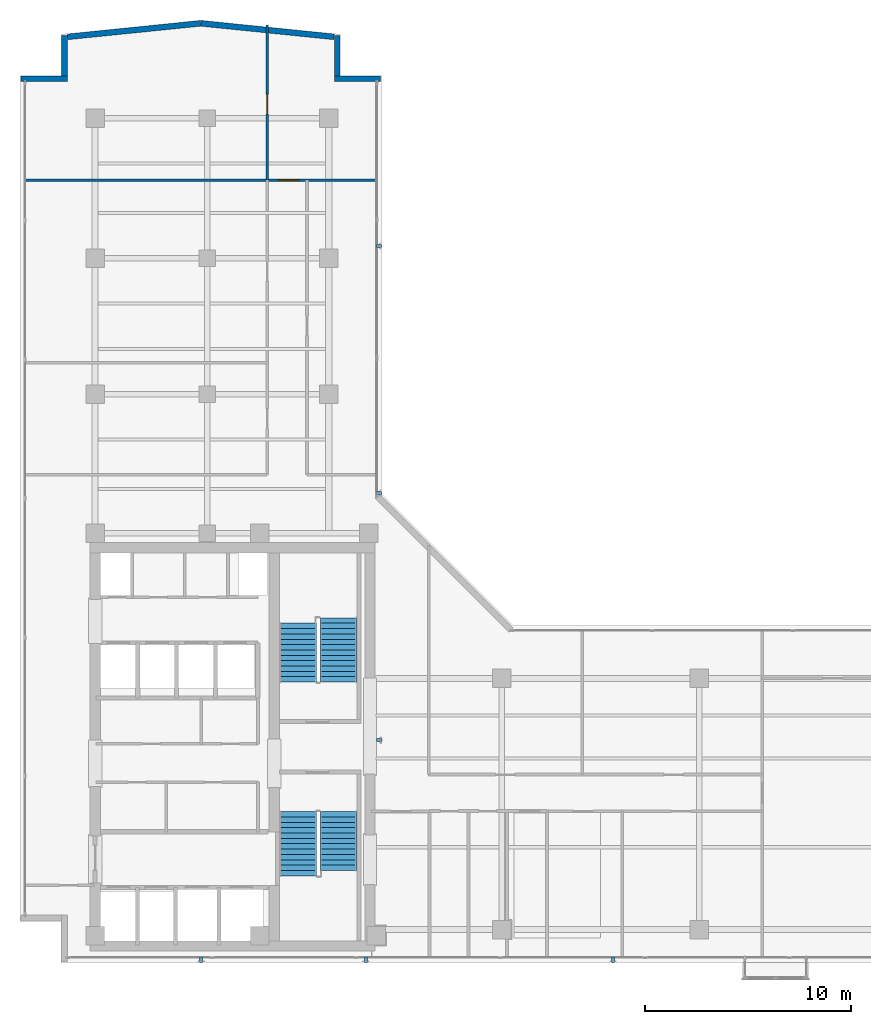
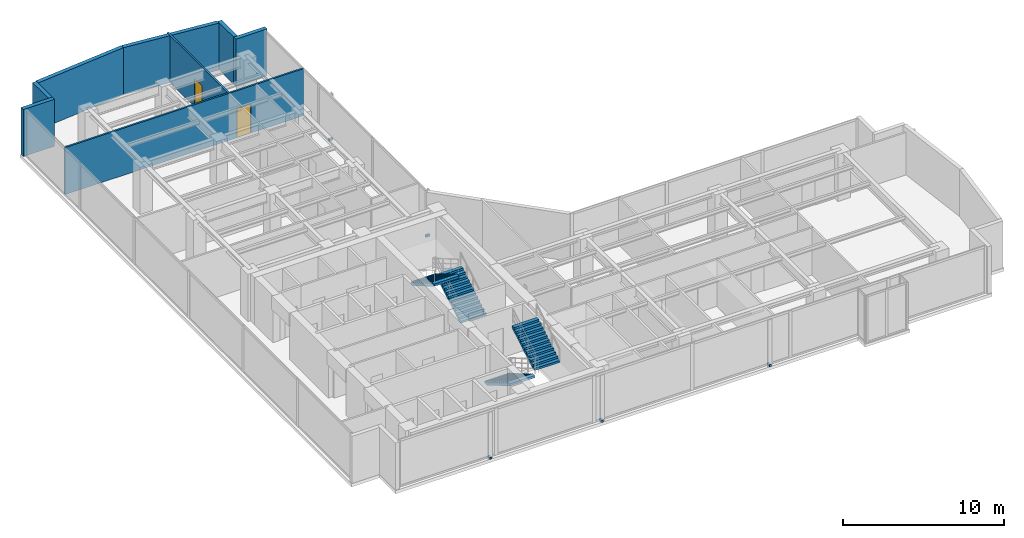
# One storey, part 18 of 22: 8 walls, 6 discrete accessories, 4 stair flights, 2 doors, 2 openings, 2 elements without a shape of their own.
"""IFC4 building model written with IfcOpenShell, lengths in metres."""

from ifc_helpers import new_model, si_unit, direction, frame, frame_2d, origin, origin_with_axes, origin_2d, place, context, subcontext, project, spatial, polyline, rectangle, outline, extrude, source, transform, mapped, material, layer, layer_set, type_object, element, fill, aggregate, save


model = new_model("IFC4")

# Units and contexts
model_context = context("Model", 3, precision=1e-05, world=origin(), true_north=direction((0.0, 1.0)))
body_context = subcontext(model_context, "Body", "Model", "MODEL_VIEW")
ifc_project = project(units=[si_unit("LENGTHUNIT", "METRE"), si_unit("AREAUNIT", "SQUARE_METRE"), si_unit("VOLUMEUNIT", "CUBIC_METRE"), si_unit("PLANEANGLEUNIT", "RADIAN"), si_unit("MASSUNIT", "GRAM", prefix="KILO")], contexts=[model_context])

# Site, building, storey
site_placement = place(None, origin())
site = spatial("IfcSite", under=ifc_project, at=site_placement, CompositionType="ELEMENT")
building_placement = place(site_placement, origin())
building = spatial("IfcBuilding", under=site, at=building_placement, Name="Kolvaren Waterfront Exchange", CompositionType="ELEMENT")
storey_placement = place(building_placement, frame((0.0, 0.0, 274.199951171875)))
storey = spatial("IfcBuildingStorey", under=building, at=storey_placement, Name="L70", CompositionType="ELEMENT", Elevation=274.199951171875)

# Walls
ifc_material_1 = material(Name="Precast concrete C40/50", Category="concrete")
ifc_layer_1 = layer(ifc_material_1, 0.280029296875, Name="Precast concrete C40/50")
ifc_layer_set_1 = layer_set([ifc_layer_1], Name="Precast concrete C40/50")
wall_type_1 = type_object("IfcWallType", Name="ARC-EXT-TERR-280", PredefinedType="SOLIDWALL", material=ifc_layer_set_1)
wall_1_placement = place(storey_placement, frame((19.068359375, 46.529541015625, 0.0), z_axis=(0.0, 0.0, 1.0), x_axis=(1.0, 0.0, 0.0)))
element("IfcWall", 1, at=wall_1_placement, inside=storey, type_object=wall_type_1, Name="L70 notched corner spandrel pier NNE-A", PredefinedType="SOLIDWALL", context=body_context, shape_type="SweptSolid", body=[
    extrude(rectangle(XDim=2.239990234375, YDim=0.280029296875, at=frame_2d((1.1201171875, 0.0))), origin(), (0.0, 0.0, 1.0), 3.56005859375),
])
wall_2_placement = place(storey_placement, frame((19.20849609375, 46.66943359375, 0.0), z_axis=(0.0, 0.0, 1.0), x_axis=(0.0, 1.0, 0.0)))
element("IfcWall", 2, at=wall_2_placement, inside=storey, type_object=wall_type_1, Name="L70 notched corner spandrel pier NNE-B", PredefinedType="SOLIDWALL", context=body_context, shape_type="SweptSolid", body=[
    extrude(rectangle(XDim=1.9599609375, YDim=0.280029296875, at=frame_2d((0.97998046875, 0.0))), origin(), (0.0, 0.0, 1.0), 3.56005859375),
])
wall_3_placement = place(storey_placement, frame((3.860107421875, 46.529541015625, 0.0), z_axis=(0.0, 0.0, 1.0), x_axis=(1.0, 0.0, 0.0)))
element("IfcWall", 3, at=wall_3_placement, inside=storey, type_object=wall_type_1, Name="L70 notched corner spandrel pier NW-A", PredefinedType="SOLIDWALL", context=body_context, shape_type="SweptSolid", body=[
    extrude(rectangle(XDim=2.239990234375, YDim=0.280029296875, at=frame_2d((1.1201171875, 0.0))), origin(), (0.0, 0.0, 1.0), 3.56005859375),
])
wall_4_placement = place(storey_placement, frame((5.9599609375, 46.66943359375, 0.0), z_axis=(0.0, 0.0, 1.0), x_axis=(0.0, 1.0, 0.0)))
element("IfcWall", 4, at=wall_4_placement, inside=storey, type_object=wall_type_1, Name="L70 notched corner spandrel pier NW-B", PredefinedType="SOLIDWALL", context=body_context, shape_type="SweptSolid", body=[
    extrude(rectangle(XDim=1.9599609375, YDim=0.280029296875, at=frame_2d((0.97998046875, 0.0))), origin(), (0.0, 0.0, 1.0), 3.56005859375),
])
wall_5_placement = place(storey_placement, frame((19.0537109375, 48.560791015625, 0.0), z_axis=(0.0, 0.0, 1.0), x_axis=(-0.994877485298, 0.101088027222, 0.0)))
element("IfcWall", 5, at=wall_5_placement, inside=storey, type_object=wall_type_1, Name="L70 north prow faceted facade wall 1", PredefinedType="SOLIDWALL", context=body_context, shape_type="SweptSolid", body=[
    extrude(rectangle(XDim=6.4990234375, YDim=0.280029296875, at=frame_2d((3.24951171875, 0.0))), origin(), (0.0, 0.0, 1.0), 3.56005859375),
])
wall_6_placement = place(storey_placement, frame((12.58056640625, 49.2177734375, 0.0), z_axis=(0.0, 0.0, 1.0), x_axis=(-0.994877869147, -0.10108424942, 0.0)))
element("IfcWall", 6, at=wall_6_placement, inside=storey, type_object=wall_type_1, Name="L70 north prow faceted facade wall 2", PredefinedType="SOLIDWALL", context=body_context, shape_type="SweptSolid", body=[
    extrude(rectangle(XDim=6.499267578125, YDim=0.280029296875, at=frame_2d((3.24951171875, 0.0))), origin(), (0.0, 0.0, 1.0), 3.56005859375),
])

# Wall, opening, door
ifc_material_2 = material(Name="Acoustic gypsum steel stud", Category="steel")
ifc_layer_2 = layer(ifc_material_2, 0.125, Name="Acoustic gypsum steel stud")
ifc_layer_set_2 = layer_set([ifc_layer_2], Name="Acoustic gypsum steel stud")
wall_type_2 = type_object("IfcWallType", Name="ARC-PART-125", PredefinedType="PARTITIONING", material=ifc_layer_set_2)
wall_7_placement = place(storey_placement, frame((4.0400390625, 41.60009765625, 0.0), z_axis=(0.0, 0.0, 1.0), x_axis=(1.0, 0.0, 0.0)))
wall_7 = element("IfcWall", 7, at=wall_7_placement, inside=storey, type_object=wall_type_2, Name="L70 interior wall PW-L70-NTIP-S", PredefinedType="PARTITIONING", context=body_context, shape_type="SweptSolid", body=[
    extrude(rectangle(XDim=17.119873046875, YDim=0.125, at=frame_2d((8.56005859375, 0.0))), origin(), (0.0, 0.0, 1.0), 3.56005859375),
])
opening_1_placement = place(wall_7_placement, frame((12.300048828125, 0.0, 0.0)))
opening_1 = element("IfcOpeningElement", 8, at=opening_1_placement, cuts=wall_7, Name="Opening D03", PredefinedType="OPENING", context=body_context, shape_type="SweptSolid", body=[
    extrude(rectangle(XDim=1.0, YDim=2.199951171875, at=frame_2d((0.5, 1.10009765625))), frame((0.0, 0.072509765625, 0.0), z_axis=(0.0, -1.0, 0.0), x_axis=(1.0, 0.0, 0.0)), (0.0, 0.0, 1.0), 0.14501953125),
])
ifc_material_3 = material(Name="Oak veneer accessible timber", Category="wood")
door_type_1 = type_object("IfcDoorType", Name="ARC-DR-1000", OperationType="NOTDEFINED", PredefinedType="DOOR", material=ifc_material_3)
door_1_placement = place(opening_1_placement, origin())
door_1 = element("IfcDoor", 9, at=door_1_placement, inside=storey, type_object=door_type_1, Name="L70 door DR-L70-NTIPE-D (D03)", OperationType="SINGLE_SWING_RIGHT", OverallHeight=2.199951171875, OverallWidth=1.0, PredefinedType="DOOR", context=body_context, shape_type="SweptSolid", body=[
    extrude(rectangle(XDim=1.0, YDim=2.199951171875, at=frame_2d((0.5, 1.10009765625))), frame((0.0, 0.02490234375, 0.0), z_axis=(0.0, -1.0, 0.0), x_axis=(1.0, 0.0, 0.0)), (0.0, 0.0, 1.0), 0.050048828125),
])
fill(opening_1, door_1)

wall_8_placement = place(storey_placement, frame((15.800048828125, 41.60009765625, 0.0), z_axis=(0.0, 0.0, 1.0), x_axis=(0.0, 1.0, 0.0)))
wall_8 = element("IfcWall", 10, at=wall_8_placement, inside=storey, type_object=wall_type_2, Name="L70 interior wall PW-L70-NTIP-DIV", PredefinedType="PARTITIONING", context=body_context, shape_type="SweptSolid", body=[
    extrude(rectangle(XDim=7.538818359375, YDim=0.125, at=frame_2d((3.76953125, 0.0))), origin(), (0.0, 0.0, 1.0), 3.56005859375),
])
opening_2_placement = place(wall_8_placement, frame((3.21826171875, 0.0, 0.0)))
opening_2 = element("IfcOpeningElement", 11, at=opening_2_placement, cuts=wall_8, Name="Opening D02", PredefinedType="OPENING", context=body_context, shape_type="SweptSolid", body=[
    extrude(rectangle(XDim=0.949951171875, YDim=2.14990234375, at=frame_2d((0.47509765625, 1.074951171875))), frame((0.0, 0.072509765625, 0.0), z_axis=(0.0, -1.0, 0.0), x_axis=(1.0, 0.0, 0.0)), (0.0, 0.0, 1.0), 0.14501953125),
])
ifc_material_4 = material(Name="Oak veneer acoustic timber", Category="wood")
door_type_2 = type_object("IfcDoorType", Name="ARC-DR-950", OperationType="NOTDEFINED", PredefinedType="DOOR", material=ifc_material_4)
door_2_placement = place(opening_2_placement, origin())
door_2 = element("IfcDoor", 12, at=door_2_placement, inside=storey, type_object=door_type_2, Name="L70 door DR-L70-NTIPW-D (D02)", OperationType="SINGLE_SWING_LEFT", OverallHeight=2.14990234375, OverallWidth=0.949951171875, PredefinedType="DOOR", context=body_context, shape_type="SweptSolid", body=[
    extrude(rectangle(XDim=0.949951171875, YDim=2.14990234375, at=frame_2d((0.47509765625, 1.074951171875))), frame((0.0, 0.02490234375, 0.0), z_axis=(0.0, -1.0, 0.0), x_axis=(1.0, 0.0, 0.0)), (0.0, 0.0, 1.0), 0.050048828125),
])
fill(opening_2, door_2)

# Stair, stair flights
ifc_material_5 = material(Name="Concrete C40/50", Category="concrete")
stair_type = type_object("IfcStairType", Name="ARC-STAIR-3800", PredefinedType="HALF_TURN_STAIR", material=ifc_material_5)
stair_1_placement = place(storey_placement, origin())
stair_1 = element("IfcStair", 13, at=stair_1_placement, inside=storey, type_object=stair_type, Name="L70 Smoke-proof exit stair ST1", PredefinedType="HALF_TURN_STAIR")
stair_flight_type = type_object("IfcStairFlightType", Name="ARC-FLIGHT-3800", PredefinedType="STRAIGHT", material=ifc_material_5)
stair_flight_1_placement = place(storey_placement, frame((17.300048828125, 10.929931640625, 0.0), z_axis=(0.0, 0.0, 1.0), x_axis=(0.0, -1.0, 0.0)))
stair_flight_1 = element("IfcStairFlight", 14, at=stair_flight_1_placement, type_object=stair_flight_type, Name="ST1 flight 1", NumberOfRisers=13, NumberOfTreads=12, PredefinedType="STRAIGHT", RiserHeight=0.152, TreadLength=0.26, context=body_context, shape_type="SweptSolid", body=[
    extrude(outline(polyline([(0.0, 0.0), (0.0, 0.152099609375), (0.260009765625, 0.152099609375), (0.260009765625, 0.303955078125), (0.52001953125, 0.303955078125), (0.52001953125, 0.4560546875), (0.780029296875, 0.4560546875), (0.780029296875, 0.60791015625), (1.0400390625, 0.60791015625), (1.0400390625, 0.760009765625), (1.300048828125, 0.760009765625), (1.300048828125, 0.912109375), (1.56005859375, 0.912109375), (1.56005859375, 1.06396484375), (1.820068359375, 1.06396484375), (1.820068359375, 1.216064453125), (2.080078125, 1.216064453125), (2.080078125, 1.367919921875), (2.340087890625, 1.367919921875), (2.340087890625, 1.52001953125), (2.60009765625, 1.52001953125), (2.60009765625, 1.672119140625), (2.860107421875, 1.672119140625), (2.860107421875, 1.823974609375), (3.1201171875, 1.823974609375), (3.1201171875, 1.97607421875), (3.1201171875, 1.650390625), (0.297119140625, 0.0), (0.0, 0.0)])), frame((0.0, 0.89990234375, 0.0), z_axis=(0.0, -1.0, 0.0), x_axis=(1.0, 0.0, 0.0)), (0.0, 0.0, 1.0), 1.800048828125),
])
stair_flight_2_placement = place(storey_placement, frame((19.260009765625, 8.070068359375, 1.97607421875), z_axis=(0.0, 0.0, 1.0), x_axis=(0.0, 1.0, 0.0)))
stair_flight_2 = element("IfcStairFlight", 15, at=stair_flight_2_placement, type_object=stair_flight_type, Name="ST1 flight 2", NumberOfRisers=12, NumberOfTreads=11, PredefinedType="STRAIGHT", RiserHeight=0.152, TreadLength=0.26, context=body_context, shape_type="SweptSolid", body=[
    extrude(outline(polyline([(0.0, 0.0), (0.0, 0.152099609375), (0.260009765625, 0.152099609375), (0.260009765625, 0.303955078125), (0.52001953125, 0.303955078125), (0.52001953125, 0.4560546875), (0.780029296875, 0.4560546875), (0.780029296875, 0.60791015625), (1.0400390625, 0.60791015625), (1.0400390625, 0.760009765625), (1.300048828125, 0.760009765625), (1.300048828125, 0.912109375), (1.56005859375, 0.912109375), (1.56005859375, 1.06396484375), (1.820068359375, 1.06396484375), (1.820068359375, 1.216064453125), (2.080078125, 1.216064453125), (2.080078125, 1.367919921875), (2.340087890625, 1.367919921875), (2.340087890625, 1.52001953125), (2.60009765625, 1.52001953125), (2.60009765625, 1.672119140625), (2.860107421875, 1.672119140625), (2.860107421875, 1.823974609375), (2.860107421875, 1.498291015625), (0.297119140625, 0.0), (0.0, 0.0)])), frame((0.0, 0.89990234375, 0.0), z_axis=(0.0, -1.0, 0.0), x_axis=(1.0, 0.0, 0.0)), (0.0, 0.0, 1.0), 1.800048828125),
])
aggregate(stair_1, [stair_flight_1, stair_flight_2])

stair_2_placement = place(storey_placement, origin())
stair_2 = element("IfcStair", 16, at=stair_2_placement, inside=storey, type_object=stair_type, Name="L70 Smoke-proof exit stair ST2", PredefinedType="HALF_TURN_STAIR")
stair_flight_3_placement = place(storey_placement, frame((19.260009765625, 17.219970703125, 0.0), z_axis=(0.0, 0.0, 1.0), x_axis=(0.0, 1.0, 0.0)))
stair_flight_3 = element("IfcStairFlight", 17, at=stair_flight_3_placement, type_object=stair_flight_type, Name="ST2 flight 1", NumberOfRisers=13, NumberOfTreads=12, PredefinedType="STRAIGHT", RiserHeight=0.152, TreadLength=0.26, context=body_context, shape_type="SweptSolid", body=[
    extrude(outline(polyline([(0.0, 0.0), (0.0, 0.152099609375), (0.260009765625, 0.152099609375), (0.260009765625, 0.303955078125), (0.52001953125, 0.303955078125), (0.52001953125, 0.4560546875), (0.780029296875, 0.4560546875), (0.780029296875, 0.60791015625), (1.0400390625, 0.60791015625), (1.0400390625, 0.760009765625), (1.300048828125, 0.760009765625), (1.300048828125, 0.912109375), (1.56005859375, 0.912109375), (1.56005859375, 1.06396484375), (1.820068359375, 1.06396484375), (1.820068359375, 1.216064453125), (2.080078125, 1.216064453125), (2.080078125, 1.367919921875), (2.340087890625, 1.367919921875), (2.340087890625, 1.52001953125), (2.60009765625, 1.52001953125), (2.60009765625, 1.672119140625), (2.860107421875, 1.672119140625), (2.860107421875, 1.823974609375), (3.1201171875, 1.823974609375), (3.1201171875, 1.97607421875), (3.1201171875, 1.650390625), (0.297119140625, 0.0), (0.0, 0.0)])), frame((0.0, 0.89990234375, 0.0), z_axis=(0.0, -1.0, 0.0), x_axis=(1.0, 0.0, 0.0)), (0.0, 0.0, 1.0), 1.800048828125),
])
stair_flight_4_placement = place(storey_placement, frame((17.300048828125, 20.080078125, 1.97607421875), z_axis=(0.0, 0.0, 1.0), x_axis=(0.0, -1.0, 0.0)))
stair_flight_4 = element("IfcStairFlight", 18, at=stair_flight_4_placement, type_object=stair_flight_type, Name="ST2 flight 2", NumberOfRisers=12, NumberOfTreads=11, PredefinedType="STRAIGHT", RiserHeight=0.152, TreadLength=0.26, context=body_context, shape_type="SweptSolid", body=[
    extrude(outline(polyline([(0.0, 0.0), (0.0, 0.152099609375), (0.260009765625, 0.152099609375), (0.260009765625, 0.303955078125), (0.52001953125, 0.303955078125), (0.52001953125, 0.4560546875), (0.780029296875, 0.4560546875), (0.780029296875, 0.60791015625), (1.0400390625, 0.60791015625), (1.0400390625, 0.760009765625), (1.300048828125, 0.760009765625), (1.300048828125, 0.912109375), (1.56005859375, 0.912109375), (1.56005859375, 1.06396484375), (1.820068359375, 1.06396484375), (1.820068359375, 1.216064453125), (2.080078125, 1.216064453125), (2.080078125, 1.367919921875), (2.340087890625, 1.367919921875), (2.340087890625, 1.52001953125), (2.60009765625, 1.52001953125), (2.60009765625, 1.672119140625), (2.860107421875, 1.672119140625), (2.860107421875, 1.823974609375), (2.860107421875, 1.498291015625), (0.297119140625, 0.0), (0.0, 0.0)])), frame((0.0, 0.89990234375, 0.0), z_axis=(0.0, -1.0, 0.0), x_axis=(1.0, 0.0, 0.0)), (0.0, 0.0, 1.0), 1.800048828125),
])
aggregate(stair_2, [stair_flight_3, stair_flight_4])

# Discrete accessories
ifc_material_6 = material(Name="Stainless steel 316", Category="steel")
discrete_accessory_type = type_object("IfcDiscreteAccessoryType", Name="ARC-BRK-FIN", PredefinedType="BRACKET", material=ifc_material_6)
shared_shape = source(origin_with_axes(), body_context, "Body", "SweptSolid", [
    extrude(rectangle(XDim=0.280029296875, YDim=0.139892578125, at=origin_2d()), origin(), (0.0, 0.0, 1.0), 0.159912109375),
])
for number, where, z_axis, x_axis, name in (
    (19, (12.60009765625, 3.719970703125, 0.0), (0.0, 0.0, 1.0), (0.0, -1.0, 0.0), "L70 bronze fin anchor bracket FIN-L70-S1"),
    (20, (20.60009765625, 3.719970703125, 0.0), (0.0, 0.0, 1.0), (0.0, -1.0, 0.0), "L70 bronze fin anchor bracket FIN-L70-S2"),
    (21, (32.60009765625, 3.719970703125, 0.0), (0.0, 0.0, 1.0), (0.0, -1.0, 0.0), "L70 bronze fin anchor bracket FIN-L70-S3"),
    (22, (21.248291015625, 14.39990234375, 0.0), (0.0, 0.0, 1.0), (1.0, 0.0, 0.0), "L70 bronze fin anchor bracket FIN-L70-E1"),
    (23, (21.248291015625, 26.39990234375, 0.0), (0.0, 0.0, 1.0), (1.0, 0.0, 0.0), "L70 bronze fin anchor bracket FIN-L70-E2"),
    (24, (21.248291015625, 38.39990234375, 0.0), (0.0, 0.0, 1.0), (1.0, 0.0, 0.0), "L70 bronze fin anchor bracket FIN-L70-E3"),
):
    element("IfcDiscreteAccessory", number, at=place(storey_placement, frame(where, z_axis=z_axis, x_axis=x_axis)), inside=storey, type_object=discrete_accessory_type, Name=name, PredefinedType="BRACKET", context=body_context, shape_type="MappedRepresentation", body=[
        mapped(shared_shape, transform((0.0, 0.0, 0.0), x_axis=(1.0, 0.0, 0.0), y_axis=(0.0, 1.0, 0.0), z_axis=(0.0, 0.0, 1.0), scale=1.0)),
    ])

save(model, "model.ifc")
